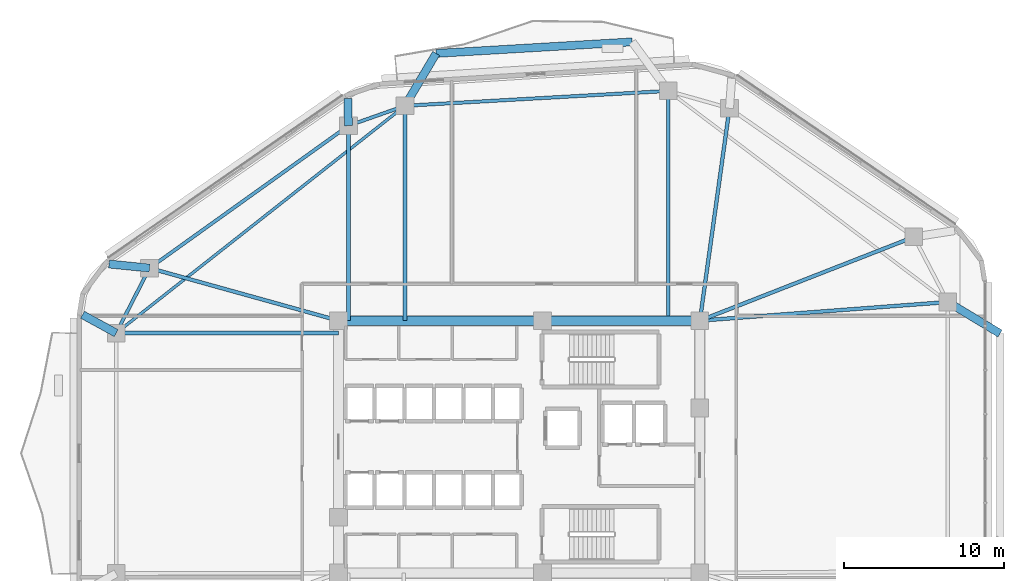
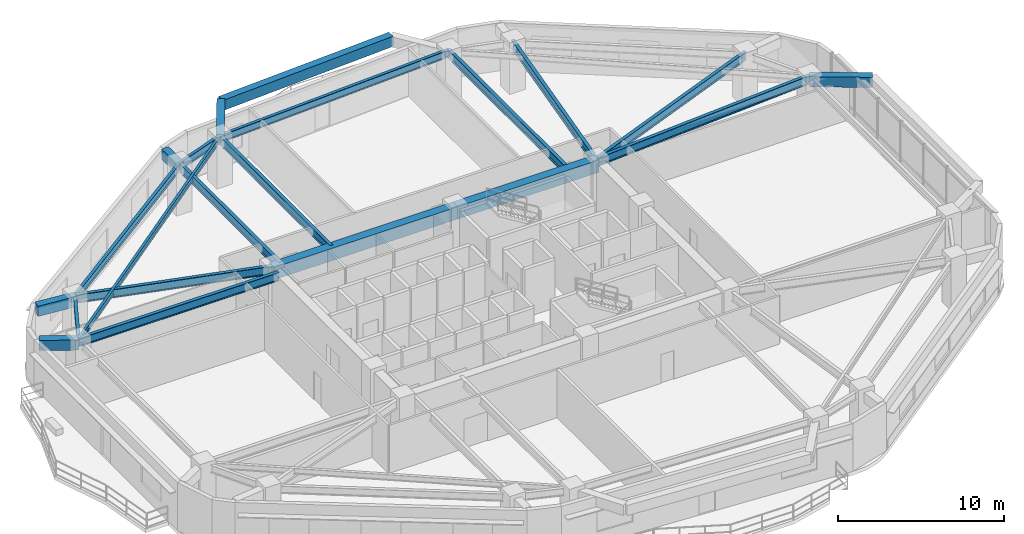
# One storey, part 5 of 14: 21 beams.
"""IFC4 building model written with IfcOpenShell, lengths in metres."""

import ifcopenshell
import ifcopenshell.guid

model = None  # the IFC model being written
_history = None  # IfcOwnerHistory: only IFC2X3 demands one
_inside = {}  # id of a spatial element -> (the spatial element, [elements in it])
_under = {}  # id of a project, library or spatial element -> (it, [spatial elements below it])
_declared = {}  # id of a project -> (the project, [libraries it declares])
_typed = {}  # id of a type object -> (the type object, [elements of that type])
_made_of = {}  # id of a material, layer set ... -> (it, [elements and type objects made of it])


def new_model(schema):
    """Start an empty IFC model of exactly this schema.

    Asked for "IFC4X3", IfcOpenShell would pick the latest addendum, in which some entities
    have other attributes; the version numbers below select the first issue.
    IFC2X3 requires an IfcOwnerHistory on every rooted entity: one is made here for all.
    """
    global model, _history
    if schema == "IFC4X3":
        model = ifcopenshell.file(schema_version=(4, 3, 0, 0))
    else:
        model = ifcopenshell.file(schema=schema)
    _inside.clear()
    _under.clear()
    _declared.clear()
    _typed.clear()
    _made_of.clear()
    _history = None
    if model.schema == "IFC2X3":
        org = make("IfcOrganization", Name="unknown")
        user = make(
            "IfcPersonAndOrganization",
            ThePerson=make("IfcPerson", FamilyName="unknown"),
            TheOrganization=org,
        )
        app = make(
            "IfcApplication",
            ApplicationDeveloper=org,
            Version="unknown",
            ApplicationFullName="unknown",
            ApplicationIdentifier="unknown",
        )
        _history = make(
            "IfcOwnerHistory",
            OwningUser=user,
            OwningApplication=app,
            ChangeAction="ADDED",
            CreationDate=0,
        )
    return model


def make(cls, **values):
    """One entity of the class cls with the attributes given. An attribute that is None is left unset."""
    return model.create_entity(
        cls, **{name: value for name, value in values.items() if value is not None}
    )


def rooted(cls, **values):
    """An entity with a GlobalId (a new one), such as an element, a storey or a relation."""
    return make(cls, GlobalId=ifcopenshell.guid.new(), OwnerHistory=_history, **values)


def si_unit(unit_type, name, prefix=None):
    """IfcSIUnit, for example si_unit("LENGTHUNIT", "METRE", prefix="MILLI")."""
    return make("IfcSIUnit", UnitType=unit_type, Prefix=prefix, Name=name)


def assignment(units):
    """IfcUnitAssignment: the units of a project."""
    return None if units is None else make("IfcUnitAssignment", Units=units)


def point(xyz):
    """IfcCartesianPoint."""
    return None if xyz is None else make("IfcCartesianPoint", Coordinates=xyz)


def direction(xyz):
    """IfcDirection."""
    return None if xyz is None else make("IfcDirection", DirectionRatios=xyz)


def frame(location, z_axis=None, x_axis=None):
    """IfcAxis2Placement3D, a coordinate frame: its origin and axes. An axis left out is left unset."""
    return make(
        "IfcAxis2Placement3D",
        Location=point(location),
        Axis=direction(z_axis),
        RefDirection=direction(x_axis),
    )


def frame_2d(location, x_axis=None):
    """IfcAxis2Placement2D, a coordinate frame in the plane: its origin and x axis."""
    return make(
        "IfcAxis2Placement2D", Location=point(location), RefDirection=direction(x_axis)
    )


def origin():
    """The frame at (0, 0, 0) with its axes left unset."""
    return frame((0.0, 0.0, 0.0))


def origin_2d():
    """The frame at (0, 0) in the plane with its x axis left unset."""
    return frame_2d((0.0, 0.0))


def place(relative_to, where):
    """IfcLocalPlacement: puts the frame where relative to a parent placement (None: the world)."""
    return make(
        "IfcLocalPlacement", PlacementRelTo=relative_to, RelativePlacement=where
    )


def context(
    kind, dimensions, precision=None, world=None, true_north=None, identifier=None
):
    """IfcGeometricRepresentationContext, for example the 3D "Model" context."""
    return make(
        "IfcGeometricRepresentationContext",
        ContextIdentifier=identifier,
        ContextType=kind,
        CoordinateSpaceDimension=dimensions,
        Precision=precision,
        WorldCoordinateSystem=world,
        TrueNorth=true_north,
    )


def subcontext(parent, identifier, kind, view, scale=None):
    """IfcGeometricRepresentationSubContext, for example "Body" below "Model"."""
    return make(
        "IfcGeometricRepresentationSubContext",
        ContextIdentifier=identifier,
        ContextType=kind,
        ParentContext=parent,
        TargetScale=scale,
        TargetView=view,
    )


def project(units=None, contexts=None):
    """IfcProject with its units and contexts."""
    return rooted(
        "IfcProject",
        Name="project",
        RepresentationContexts=contexts,
        UnitsInContext=assignment(units),
    )


def spatial(cls, under=None, at=None, **own):
    """A site, building, storey or space (cls), placed at a placement, below another one or the project."""
    s = rooted(cls, ObjectPlacement=at, **own)
    if under is not None:
        _under.setdefault(under.id(), (under, []))[1].append(s)
    return s


def profile(cls, at=None, kind="AREA", **sizes):
    """A parametric profile (cls). Its sizes go by their IFC names, for example OverallWidth=200.0."""
    return make(cls, ProfileType=kind, Position=at, **sizes)


def rectangle(**sizes):
    """IfcRectangleProfileDef."""
    return profile("IfcRectangleProfileDef", **sizes)


def i_section(**sizes):
    """IfcIShapeProfileDef."""
    return profile("IfcIShapeProfileDef", **sizes)


def extrude(swept, where, along, depth):
    """IfcExtrudedAreaSolid: the profile swept, set in the frame where, extruded along a direction by depth."""
    return make(
        "IfcExtrudedAreaSolid",
        SweptArea=swept,
        Position=where,
        ExtrudedDirection=direction(along),
        Depth=depth,
    )


def shape(context_of_items, identifier, shape_type, items):
    """IfcShapeRepresentation: the items that make up one representation, for example the "Body"."""
    return make(
        "IfcShapeRepresentation",
        ContextOfItems=context_of_items,
        RepresentationIdentifier=identifier,
        RepresentationType=shape_type,
        Items=items,
    )


def material(Name=None, Category=None):
    """IfcMaterial."""
    return make("IfcMaterial", Name=Name, Category=Category)


def material_profile(
    of_material, cross_section, Name=None, Category=None, Priority=None
):
    """IfcMaterialProfile: a cross section and its material."""
    return make(
        "IfcMaterialProfile",
        Name=Name,
        Material=of_material,
        Profile=cross_section,
        Priority=Priority,
        Category=Category,
    )


def profile_set(profiles, Name=None, composite=None):
    """IfcMaterialProfileSet."""
    return make(
        "IfcMaterialProfileSet",
        Name=Name,
        MaterialProfiles=profiles,
        CompositeProfile=composite,
    )


def made_of(thing, what):
    """Note that an element or type object is made of a material, layer set ...; save() writes the relation."""
    if what is not None:
        _made_of.setdefault(what.id(), (what, []))[1].append(thing)
    return thing


def type_object(cls, material=None, **own):
    """A type object (cls), such as IfcWallType, which elements share."""
    return made_of(rooted(cls, **own), material)


def element(
    cls,
    number,
    at=None,
    inside=None,
    cuts=None,
    type_object=None,
    material=None,
    context=None,
    identifier="Body",
    shape_type=None,
    held_by="IfcProductDefinitionShape",
    body=None,
    shapes=None,
    **own,
):
    """One element of the class cls, such as IfcWall. Its Tag is "e" and its number.

    at: its placement. inside: the storey or other place that contains it. cuts: it is an
    opening in that element (IfcRelVoidsElement). A single representation is given by context,
    identifier, shape_type and body (its items); several are given by shapes. held_by: the class
    of the entity that holds the representations. save() writes the other relations.
    """
    e = rooted(cls, Tag="e%d" % number, ObjectPlacement=at, **own)
    if body is not None:
        shapes = [shape(context, identifier, shape_type, body)]
    if shapes is not None:
        e.Representation = make(held_by, Representations=shapes)
    if inside is not None:
        _inside.setdefault(inside.id(), (inside, []))[1].append(e)
    if cuts is not None:
        rooted(
            "IfcRelVoidsElement", RelatingBuildingElement=cuts, RelatedOpeningElement=e
        )
    if type_object is not None:
        _typed.setdefault(type_object.id(), (type_object, []))[1].append(e)
    return made_of(e, material)


def aggregate(whole, parts):
    """IfcRelAggregates: a whole, such as a stair, and the parts it consists of."""
    return rooted("IfcRelAggregates", RelatingObject=whole, RelatedObjects=parts)


def save(model, path):
    """Write the relations noted so far, then the file.

    IfcRelAggregates (storeys below a building ...), IfcRelContainedInSpatialStructure (elements
    in a storey), IfcRelDefinesByType, IfcRelAssociatesMaterial and IfcRelDeclares: one each for
    every whole, place, type object, material and project.
    """
    for whole, parts in _under.values():
        aggregate(whole, parts)
    for where, things in _inside.values():
        rooted(
            "IfcRelContainedInSpatialStructure",
            RelatedElements=things,
            RelatingStructure=where,
        )
    for kind, things in _typed.values():
        rooted("IfcRelDefinesByType", RelatedObjects=things, RelatingType=kind)
    for what, things in _made_of.values():
        rooted("IfcRelAssociatesMaterial", RelatedObjects=things, RelatingMaterial=what)
    for by, libraries in _declared.values():
        rooted("IfcRelDeclares", RelatingContext=by, RelatedDefinitions=libraries)
    model.write(path)


model = new_model("IFC4")

# Units and contexts
model_context = context("Model", 3, precision=1e-05, world=origin(), true_north=direction((0.0, 1.0)))
body_context = subcontext(model_context, "Body", "Model", "MODEL_VIEW")
ifc_project = project(units=[si_unit("LENGTHUNIT", "METRE"), si_unit("AREAUNIT", "SQUARE_METRE"), si_unit("VOLUMEUNIT", "CUBIC_METRE"), si_unit("PLANEANGLEUNIT", "RADIAN"), si_unit("MASSUNIT", "GRAM", prefix="KILO")], contexts=[model_context])

# Site, building, storey
site_placement = place(None, origin())
site = spatial("IfcSite", under=ifc_project, at=site_placement, CompositionType="ELEMENT")
building_placement = place(site_placement, origin())
building = spatial("IfcBuilding", under=site, at=building_placement, Name="Zulverin Broadcast Headquarters", CompositionType="ELEMENT")
storey_placement = place(building_placement, frame((0.0, 0.0, 85.800048828125)))
storey = spatial("IfcBuildingStorey", under=building, at=storey_placement, Name="L21", CompositionType="ELEMENT", Elevation=85.800048828125)

# Beams
ifc_material_1 = material(Name="Concrete C60/75", Category="concrete")
ifc_material_profile_1 = material_profile(ifc_material_1, rectangle(XDim=0.60009765625, YDim=0.89990234375, at=origin_2d()), Name="Concrete C60/75", Category="concrete")
ifc_profile_set_1 = profile_set([ifc_material_profile_1], Name="Concrete C60/75")
beam_type_1 = type_object("IfcBeamType", Name="BM-CB-600x900", PredefinedType="LINTEL", material=ifc_profile_set_1)
beam_1_placement = place(storey_placement, frame((48.27490234375, 33.074951171875, 3.074951171875), z_axis=(-1.0, 0.0, 0.0), x_axis=(0.0, -1.0, 0.0)))
element("IfcBeam", 1, at=beam_1_placement, inside=storey, type_object=beam_type_1, Name="L21 Core Coupling Girder K05-K06", PredefinedType="LINTEL", context=body_context, shape_type="SweptSolid", body=[
    extrude(rectangle(XDim=0.60009765625, YDim=0.89990234375, at=origin_2d()), origin(), (0.0, 0.0, 1.0), 9.824951171875),
])
beam_2_placement = place(storey_placement, frame((38.449951171875, 33.074951171875, 3.074951171875), z_axis=(-1.0, 0.0, 0.0), x_axis=(0.0, -1.0, 0.0)))
element("IfcBeam", 2, at=beam_2_placement, inside=storey, type_object=beam_type_1, Name="L21 Core Coupling Girder K06-K07", PredefinedType="LINTEL", context=body_context, shape_type="SweptSolid", body=[
    extrude(rectangle(XDim=0.60009765625, YDim=0.89990234375, at=origin_2d()), origin(), (0.0, 0.0, 1.0), 12.724853515625),
])
ifc_material_2 = material(Name="Concrete C40/50", Category="concrete")
ifc_material_profile_2 = material_profile(ifc_material_2, rectangle(XDim=0.5, YDim=0.75, at=origin_2d()), Name="Concrete C40/50", Category="concrete")
ifc_profile_set_2 = profile_set([ifc_material_profile_2], Name="Concrete C40/50")
beam_type_2 = type_object("IfcBeamType", Name="BM-RC-500x750", PredefinedType="BEAM", material=ifc_profile_set_2)
beam_3_placement = place(storey_placement, frame((26.344482421875, 45.23828125, 3.14990234375), z_axis=(-0.025024345209, 0.999686842039, 0.0), x_axis=(-0.999686842039, -0.025024345209, 0.0)))
element("IfcBeam", 3, at=beam_3_placement, inside=storey, type_object=beam_type_2, Name="L22 Plate Overhang Back-Spanned Beam OVR-11", PredefinedType="BEAM", context=body_context, shape_type="SweptSolid", body=[
    extrude(rectangle(XDim=0.5, YDim=0.75, at=origin_2d()), origin(), (0.0, 0.0, 1.0), 1.707275390625),
])
beam_4_placement = place(storey_placement, frame((13.934326171875, 36.353759765625, 3.14990234375), z_axis=(-0.995008621602, 0.09978899207, 0.0), x_axis=(-0.09978899207, -0.995008621602, 0.0)))
element("IfcBeam", 4, at=beam_4_placement, inside=storey, type_object=beam_type_2, Name="L22 Plate Overhang Back-Spanned Beam OVR-12", PredefinedType="BEAM", context=body_context, shape_type="SweptSolid", body=[
    extrude(rectangle(XDim=0.5, YDim=0.75, at=origin_2d()), origin(), (0.0, 0.0, 1.0), 2.5419921875),
])
beam_5_placement = place(storey_placement, frame((11.85009765625, 32.298095703125, 3.14990234375), z_axis=(-0.877766851071, 0.479088045312, 0.0), x_axis=(-0.479088045312, -0.877766851071, 0.0)))
element("IfcBeam", 5, at=beam_5_placement, inside=storey, type_object=beam_type_2, Name="L22 Plate Overhang Back-Spanned Beam OVR-13", PredefinedType="BEAM", context=body_context, shape_type="SweptSolid", body=[
    extrude(rectangle(XDim=0.5, YDim=0.75, at=origin_2d()), origin(), (0.0, 0.0, 1.0), 2.392578125),
])
for number, where, z_axis, x_axis, name in (
    (6, (63.75, 34.235107421875, 3.14990234375), (0.855593685746, -0.517647993246, 0.0), (0.517647993246, 0.855593685746, 0.0), "L22 Balcony Column-Framed Cantilever BAL_E-2"),
    (7, (29.873779296875, 46.482177734375, 3.14990234375), (0.511024077234, 0.859566397952, 0.0), (-0.859566397952, 0.511024077234, 0.0), "L22 Balcony Column-Framed Cantilever BAL_N-2"),
):
    element("IfcBeam", number, at=place(storey_placement, frame(where, z_axis=z_axis, x_axis=x_axis)), inside=storey, type_object=beam_type_2, Name=name, PredefinedType="BEAM", context=body_context, shape_type="SweptSolid", body=[
        extrude(rectangle(XDim=0.5, YDim=0.75, at=origin_2d()), origin(), (0.0, 0.0, 1.0), 3.800048828125),
    ])
beam_6_placement = place(storey_placement, frame((44.049072265625, 50.46923828125, 3.14990234375), z_axis=(-0.998269148199, -0.058810779227, 0.0), x_axis=(0.058810779227, -0.998269148199, 0.0)))
element("IfcBeam", 8, at=beam_6_placement, inside=storey, type_object=beam_type_2, Name="L22 Balcony Outer Edge Trimmer Beam BAL_N", PredefinedType="BEAM", context=body_context, shape_type="SweptSolid", body=[
    extrude(rectangle(XDim=0.5, YDim=0.75, at=origin_2d()), origin(), (0.0, 0.0, 1.0), 12.254638671875),
])
ifc_material_3 = material(Name="Structural steel S355JR", Category="steel")
ifc_material_profile_3 = material_profile(ifc_material_3, i_section(OverallWidth=0.179443359375, OverallDepth=0.412841796875, WebThickness=0.009521484375, FlangeThickness=0.01611328125, at=origin_2d()), Name="Structural steel S355JR", Category="steel")
ifc_profile_set_3 = profile_set([ifc_material_profile_3], Name="Structural steel S355JR")
beam_type_3 = type_object("IfcBeamType", Name="BM-UB-406", PredefinedType="JOIST", material=ifc_profile_set_3)
beam_7_placement = place(storey_placement, frame((29.873779296875, 46.482177734375, 3.318603515625), z_axis=(-0.78583902739, -0.618431098047, 0.0), x_axis=(0.618431098047, -0.78583902739, 0.0)))
element("IfcBeam", 9, at=beam_7_placement, inside=storey, type_object=beam_type_3, Name="L21 Chordal Floor Joist J-03", PredefinedType="JOIST", context=body_context, shape_type="SweptSolid", body=[
    extrude(i_section(OverallWidth=0.179443359375, OverallDepth=0.412841796875, WebThickness=0.009521484375, FlangeThickness=0.01611328125, at=origin_2d()), origin(), (0.0, 0.0, 1.0), 22.935546875),
])
ifc_material_profile_4 = material_profile(ifc_material_3, i_section(OverallWidth=0.2119140625, OverallDepth=0.54443359375, WebThickness=0.0126953125, FlangeThickness=0.021240234375, at=origin_2d()), Name="Structural steel S355JR", Category="steel")
ifc_profile_set_4 = profile_set([ifc_material_profile_4], Name="Structural steel S355JR")
beam_type_4 = type_object("IfcBeamType", Name="BM-UB-533", PredefinedType="SPANDREL", material=ifc_profile_set_4)
beam_8_placement = place(storey_placement, frame((46.30224609375, 47.4091796875, 3.252685546875), z_axis=(-0.998411812904, -0.056336949274, 0.0), x_axis=(0.056336949274, -0.998411812904, 0.0)))
element("IfcBeam", 10, at=beam_8_placement, inside=storey, type_object=beam_type_4, Name="L21 Perimeter Spandrel Beam SP-09", PredefinedType="SPANDREL", context=body_context, shape_type="SweptSolid", body=[
    extrude(i_section(OverallWidth=0.2119140625, OverallDepth=0.54443359375, WebThickness=0.0126953125, FlangeThickness=0.021240234375, at=origin_2d()), origin(), (0.0, 0.0, 1.0), 16.45458984375),
])
beam_9_placement = place(storey_placement, frame((29.873779296875, 46.482177734375, 3.252685546875), z_axis=(-0.943135983398, -0.332407155189, 0.0), x_axis=(0.332407155189, -0.943135983398, 0.0)))
element("IfcBeam", 11, at=beam_9_placement, inside=storey, type_object=beam_type_4, Name="L21 Perimeter Spandrel Beam SP-10", PredefinedType="SPANDREL", context=body_context, shape_type="SweptSolid", body=[
    extrude(i_section(OverallWidth=0.2119140625, OverallDepth=0.54443359375, WebThickness=0.0126953125, FlangeThickness=0.021240234375, at=origin_2d()), origin(), (0.0, 0.0, 1.0), 3.7421875),
])
beam_10_placement = place(storey_placement, frame((26.344482421875, 45.23828125, 3.252685546875), z_axis=(-0.813109374453, -0.582110938891, 0.0), x_axis=(0.582110938891, -0.813109374453, 0.0)))
element("IfcBeam", 12, at=beam_10_placement, inside=storey, type_object=beam_type_4, Name="L21 Perimeter Spandrel Beam SP-11", PredefinedType="SPANDREL", context=body_context, shape_type="SweptSolid", body=[
    extrude(i_section(OverallWidth=0.2119140625, OverallDepth=0.54443359375, WebThickness=0.0126953125, FlangeThickness=0.021240234375, at=origin_2d()), origin(), (0.0, 0.0, 1.0), 15.2626953125),
])
beam_11_placement = place(storey_placement, frame((13.934326171875, 36.353759765625, 3.252685546875), z_axis=(-0.457080631948, -0.889425261558, 0.0), x_axis=(0.889425261558, -0.457080631948, 0.0)))
element("IfcBeam", 13, at=beam_11_placement, inside=storey, type_object=beam_type_4, Name="L21 Perimeter Spandrel Beam SP-12", PredefinedType="SPANDREL", context=body_context, shape_type="SweptSolid", body=[
    extrude(i_section(OverallWidth=0.2119140625, OverallDepth=0.54443359375, WebThickness=0.0126953125, FlangeThickness=0.021240234375, at=origin_2d()), origin(), (0.0, 0.0, 1.0), 4.559814453125),
])
ifc_material_profile_5 = material_profile(ifc_material_3, i_section(OverallWidth=0.230224609375, OverallDepth=0.6171875, WebThickness=0.01318359375, FlangeThickness=0.022216796875, at=origin_2d()), Name="Structural steel S355JR", Category="steel")
ifc_profile_set_5 = profile_set([ifc_material_profile_5], Name="Structural steel S355JR")
beam_type_5 = type_object("IfcBeamType", Name="BM-UB-610", PredefinedType="BEAM", material=ifc_profile_set_5)
beam_12_placement = place(storey_placement, frame((48.27490234375, 33.074951171875, 3.21630859375), z_axis=(0.997201597387, 0.074759442003, 0.0), x_axis=(-0.074759442003, 0.997201597387, 0.0)))
element("IfcBeam", 14, at=beam_12_placement, inside=storey, type_object=beam_type_5, Name="L21 Radial Primary Floor Beam RB-06", PredefinedType="BEAM", context=body_context, shape_type="SweptSolid", body=[
    extrude(i_section(OverallWidth=0.230224609375, OverallDepth=0.6171875, WebThickness=0.01318359375, FlangeThickness=0.022216796875, at=origin_2d()), origin(), (0.0, 0.0, 1.0), 15.5185546875),
])
beam_13_placement = place(storey_placement, frame((48.27490234375, 33.074951171875, 3.21630859375), z_axis=(0.931297778153, 0.364258765723, 0.0), x_axis=(-0.364258765723, 0.931297778153, 0.0)))
element("IfcBeam", 15, at=beam_13_placement, inside=storey, type_object=beam_type_5, Name="L21 Radial Primary Floor Beam RB-07", PredefinedType="BEAM", context=body_context, shape_type="SweptSolid", body=[
    extrude(i_section(OverallWidth=0.230224609375, OverallDepth=0.6171875, WebThickness=0.01318359375, FlangeThickness=0.022216796875, at=origin_2d()), origin(), (0.0, 0.0, 1.0), 14.34033203125),
])
beam_14_placement = place(storey_placement, frame((48.27490234375, 33.074951171875, 3.21630859375), z_axis=(0.138045758193, 0.990425852169, 0.0), x_axis=(-0.990425852169, 0.138045758193, 0.0)))
element("IfcBeam", 16, at=beam_14_placement, inside=storey, type_object=beam_type_5, Name="L21 Radial Primary Floor Beam RB-08", PredefinedType="BEAM", context=body_context, shape_type="SweptSolid", body=[
    extrude(i_section(OverallWidth=0.230224609375, OverallDepth=0.6171875, WebThickness=0.01318359375, FlangeThickness=0.022216796875, at=origin_2d()), origin(), (0.0, 0.0, 1.0), 13.379150390625),
])
beam_15_placement = place(storey_placement, frame((46.30224609375, 33.074951171875, 3.21630859375), z_axis=(0.0, 1.0, 0.0), x_axis=(-1.0, 0.0, 0.0)))
element("IfcBeam", 17, at=beam_15_placement, inside=storey, type_object=beam_type_5, Name="L21 Radial Primary Floor Beam RB-09", PredefinedType="BEAM", context=body_context, shape_type="SweptSolid", body=[
    extrude(i_section(OverallWidth=0.230224609375, OverallDepth=0.6171875, WebThickness=0.01318359375, FlangeThickness=0.022216796875, at=origin_2d()), origin(), (0.0, 0.0, 1.0), 14.334228515625),
])
beam_16_placement = place(storey_placement, frame((29.873779296875, 33.074951171875, 3.21630859375), z_axis=(0.0, 1.0, 0.0), x_axis=(-1.0, 0.0, 0.0)))
element("IfcBeam", 18, at=beam_16_placement, inside=storey, type_object=beam_type_5, Name="L21 Radial Primary Floor Beam RB-10", PredefinedType="BEAM", context=body_context, shape_type="SweptSolid", body=[
    extrude(i_section(OverallWidth=0.230224609375, OverallDepth=0.6171875, WebThickness=0.01318359375, FlangeThickness=0.022216796875, at=origin_2d()), origin(), (0.0, 0.0, 1.0), 13.4072265625),
])
beam_17_placement = place(storey_placement, frame((26.344482421875, 33.074951171875, 3.21630859375), z_axis=(0.0, 1.0, 0.0), x_axis=(-1.0, 0.0, 0.0)))
element("IfcBeam", 19, at=beam_17_placement, inside=storey, type_object=beam_type_5, Name="L21 Radial Primary Floor Beam RB-11", PredefinedType="BEAM", context=body_context, shape_type="SweptSolid", body=[
    extrude(i_section(OverallWidth=0.230224609375, OverallDepth=0.6171875, WebThickness=0.01318359375, FlangeThickness=0.022216796875, at=origin_2d()), origin(), (0.0, 0.0, 1.0), 12.163330078125),
])
beam_18_placement = place(storey_placement, frame((25.72509765625, 33.074951171875, 3.21630859375), z_axis=(-0.963442133037, 0.267916509922, 0.0), x_axis=(-0.267916509922, -0.963442133037, 0.0)))
element("IfcBeam", 20, at=beam_18_placement, inside=storey, type_object=beam_type_5, Name="L21 Radial Primary Floor Beam RB-12", PredefinedType="BEAM", context=body_context, shape_type="SweptSolid", body=[
    extrude(i_section(OverallWidth=0.230224609375, OverallDepth=0.6171875, WebThickness=0.01318359375, FlangeThickness=0.022216796875, at=origin_2d()), origin(), (0.0, 0.0, 1.0), 12.23828125),
])
beam_19_placement = place(storey_placement, frame((25.72509765625, 32.298095703125, 3.21630859375), z_axis=(-1.0, 0.0, 0.0), x_axis=(0.0, -1.0, 0.0)))
element("IfcBeam", 21, at=beam_19_placement, inside=storey, type_object=beam_type_5, Name="L21 Radial Primary Floor Beam RB-13", PredefinedType="BEAM", context=body_context, shape_type="SweptSolid", body=[
    extrude(i_section(OverallWidth=0.230224609375, OverallDepth=0.6171875, WebThickness=0.01318359375, FlangeThickness=0.022216796875, at=origin_2d()), origin(), (0.0, 0.0, 1.0), 13.875),
])

save(model, "model.ifc")
